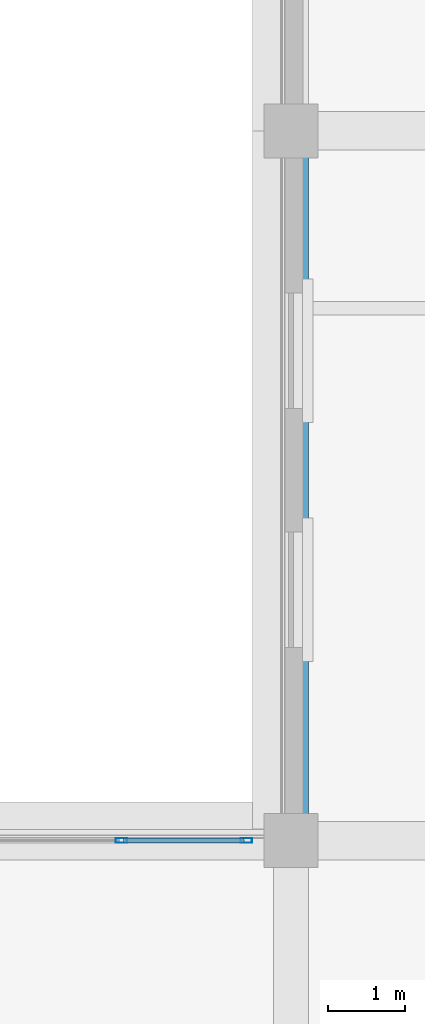
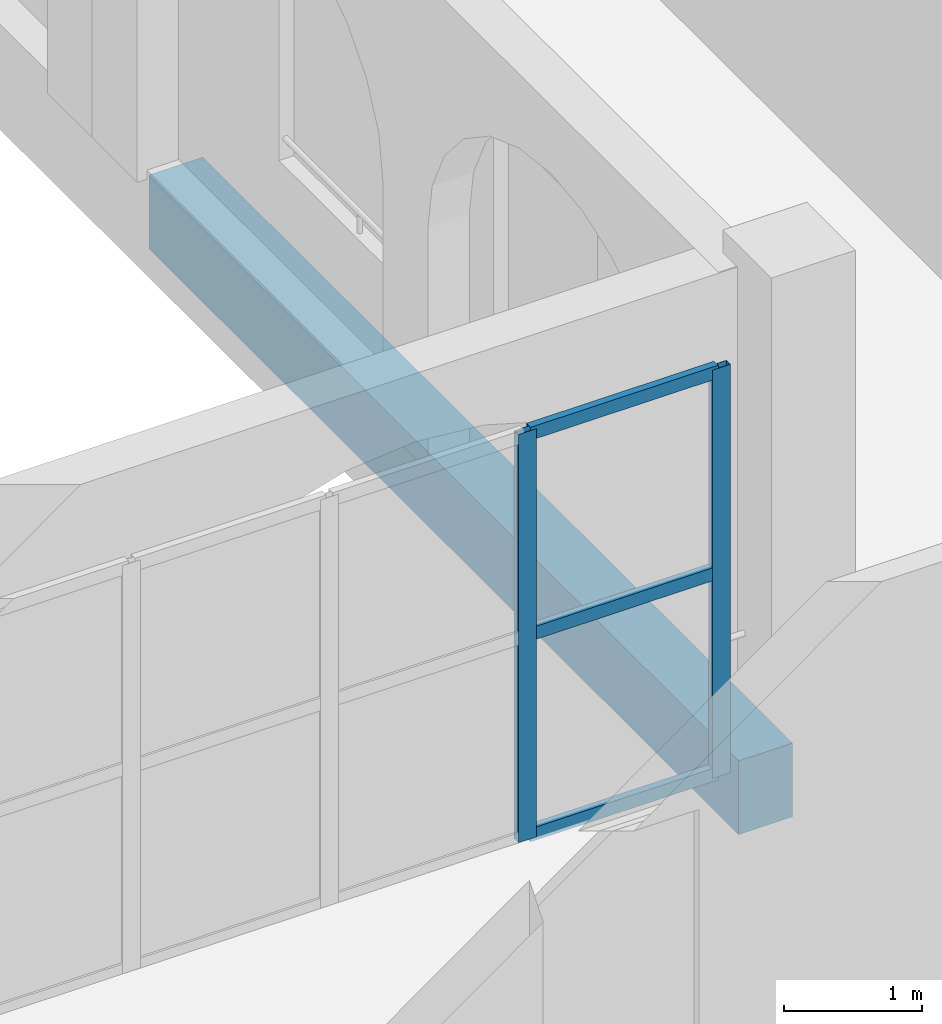
# One storey, part 56 of 156: 5 members, 1 beam, 1 element without a shape of its own.
"""IFC4 building model written with IfcOpenShell, lengths in metres."""

import ifcopenshell
import ifcopenshell.guid

model = None  # the IFC model being written
_history = None  # IfcOwnerHistory: only IFC2X3 demands one
_inside = {}  # id of a spatial element -> (the spatial element, [elements in it])
_under = {}  # id of a project, library or spatial element -> (it, [spatial elements below it])
_declared = {}  # id of a project -> (the project, [libraries it declares])
_typed = {}  # id of a type object -> (the type object, [elements of that type])
_made_of = {}  # id of a material, layer set ... -> (it, [elements and type objects made of it])


def new_model(schema):
    """Start an empty IFC model of exactly this schema.

    Asked for "IFC4X3", IfcOpenShell would pick the latest addendum, in which some entities
    have other attributes; the version numbers below select the first issue.
    IFC2X3 requires an IfcOwnerHistory on every rooted entity: one is made here for all.
    """
    global model, _history
    if schema == "IFC4X3":
        model = ifcopenshell.file(schema_version=(4, 3, 0, 0))
    else:
        model = ifcopenshell.file(schema=schema)
    _inside.clear()
    _under.clear()
    _declared.clear()
    _typed.clear()
    _made_of.clear()
    _history = None
    if model.schema == "IFC2X3":
        org = make("IfcOrganization", Name="unknown")
        user = make(
            "IfcPersonAndOrganization",
            ThePerson=make("IfcPerson", FamilyName="unknown"),
            TheOrganization=org,
        )
        app = make(
            "IfcApplication",
            ApplicationDeveloper=org,
            Version="unknown",
            ApplicationFullName="unknown",
            ApplicationIdentifier="unknown",
        )
        _history = make(
            "IfcOwnerHistory",
            OwningUser=user,
            OwningApplication=app,
            ChangeAction="ADDED",
            CreationDate=0,
        )
    return model


def make(cls, **values):
    """One entity of the class cls with the attributes given. An attribute that is None is left unset."""
    return model.create_entity(
        cls, **{name: value for name, value in values.items() if value is not None}
    )


def rooted(cls, **values):
    """An entity with a GlobalId (a new one), such as an element, a storey or a relation."""
    return make(cls, GlobalId=ifcopenshell.guid.new(), OwnerHistory=_history, **values)


def si_unit(unit_type, name, prefix=None):
    """IfcSIUnit, for example si_unit("LENGTHUNIT", "METRE", prefix="MILLI")."""
    return make("IfcSIUnit", UnitType=unit_type, Prefix=prefix, Name=name)


def assignment(units):
    """IfcUnitAssignment: the units of a project."""
    return None if units is None else make("IfcUnitAssignment", Units=units)


def point(xyz):
    """IfcCartesianPoint."""
    return None if xyz is None else make("IfcCartesianPoint", Coordinates=xyz)


def direction(xyz):
    """IfcDirection."""
    return None if xyz is None else make("IfcDirection", DirectionRatios=xyz)


def frame(location, z_axis=None, x_axis=None):
    """IfcAxis2Placement3D, a coordinate frame: its origin and axes. An axis left out is left unset."""
    return make(
        "IfcAxis2Placement3D",
        Location=point(location),
        Axis=direction(z_axis),
        RefDirection=direction(x_axis),
    )


def frame_2d(location, x_axis=None):
    """IfcAxis2Placement2D, a coordinate frame in the plane: its origin and x axis."""
    return make(
        "IfcAxis2Placement2D", Location=point(location), RefDirection=direction(x_axis)
    )


def origin():
    """The frame at (0, 0, 0) with its axes left unset."""
    return frame((0.0, 0.0, 0.0))


def origin_2d():
    """The frame at (0, 0) in the plane with its x axis left unset."""
    return frame_2d((0.0, 0.0))


def place(relative_to, where):
    """IfcLocalPlacement: puts the frame where relative to a parent placement (None: the world)."""
    return make(
        "IfcLocalPlacement", PlacementRelTo=relative_to, RelativePlacement=where
    )


def context(
    kind, dimensions, precision=None, world=None, true_north=None, identifier=None
):
    """IfcGeometricRepresentationContext, for example the 3D "Model" context."""
    return make(
        "IfcGeometricRepresentationContext",
        ContextIdentifier=identifier,
        ContextType=kind,
        CoordinateSpaceDimension=dimensions,
        Precision=precision,
        WorldCoordinateSystem=world,
        TrueNorth=true_north,
    )


def subcontext(parent, identifier, kind, view, scale=None):
    """IfcGeometricRepresentationSubContext, for example "Body" below "Model"."""
    return make(
        "IfcGeometricRepresentationSubContext",
        ContextIdentifier=identifier,
        ContextType=kind,
        ParentContext=parent,
        TargetScale=scale,
        TargetView=view,
    )


def project(units=None, contexts=None):
    """IfcProject with its units and contexts."""
    return rooted(
        "IfcProject",
        Name="project",
        RepresentationContexts=contexts,
        UnitsInContext=assignment(units),
    )


def spatial(cls, under=None, at=None, **own):
    """A site, building, storey or space (cls), placed at a placement, below another one or the project."""
    s = rooted(cls, ObjectPlacement=at, **own)
    if under is not None:
        _under.setdefault(under.id(), (under, []))[1].append(s)
    return s


def profile(cls, at=None, kind="AREA", **sizes):
    """A parametric profile (cls). Its sizes go by their IFC names, for example OverallWidth=200.0."""
    return make(cls, ProfileType=kind, Position=at, **sizes)


def rectangle(**sizes):
    """IfcRectangleProfileDef."""
    return profile("IfcRectangleProfileDef", **sizes)


def hollow_rectangle(**sizes):
    """IfcRectangleHollowProfileDef."""
    return profile("IfcRectangleHollowProfileDef", **sizes)


def extrude(swept, where, along, depth):
    """IfcExtrudedAreaSolid: the profile swept, set in the frame where, extruded along a direction by depth."""
    return make(
        "IfcExtrudedAreaSolid",
        SweptArea=swept,
        Position=where,
        ExtrudedDirection=direction(along),
        Depth=depth,
    )


def shape(context_of_items, identifier, shape_type, items):
    """IfcShapeRepresentation: the items that make up one representation, for example the "Body"."""
    return make(
        "IfcShapeRepresentation",
        ContextOfItems=context_of_items,
        RepresentationIdentifier=identifier,
        RepresentationType=shape_type,
        Items=items,
    )


def material(Name=None, Category=None):
    """IfcMaterial."""
    return make("IfcMaterial", Name=Name, Category=Category)


def material_profile(
    of_material, cross_section, Name=None, Category=None, Priority=None
):
    """IfcMaterialProfile: a cross section and its material."""
    return make(
        "IfcMaterialProfile",
        Name=Name,
        Material=of_material,
        Profile=cross_section,
        Priority=Priority,
        Category=Category,
    )


def profile_set(profiles, Name=None, composite=None):
    """IfcMaterialProfileSet."""
    return make(
        "IfcMaterialProfileSet",
        Name=Name,
        MaterialProfiles=profiles,
        CompositeProfile=composite,
    )


def made_of(thing, what):
    """Note that an element or type object is made of a material, layer set ...; save() writes the relation."""
    if what is not None:
        _made_of.setdefault(what.id(), (what, []))[1].append(thing)
    return thing


def type_object(cls, material=None, **own):
    """A type object (cls), such as IfcWallType, which elements share."""
    return made_of(rooted(cls, **own), material)


def element(
    cls,
    number,
    at=None,
    inside=None,
    cuts=None,
    type_object=None,
    material=None,
    context=None,
    identifier="Body",
    shape_type=None,
    held_by="IfcProductDefinitionShape",
    body=None,
    shapes=None,
    **own,
):
    """One element of the class cls, such as IfcWall. Its Tag is "e" and its number.

    at: its placement. inside: the storey or other place that contains it. cuts: it is an
    opening in that element (IfcRelVoidsElement). A single representation is given by context,
    identifier, shape_type and body (its items); several are given by shapes. held_by: the class
    of the entity that holds the representations. save() writes the other relations.
    """
    e = rooted(cls, Tag="e%d" % number, ObjectPlacement=at, **own)
    if body is not None:
        shapes = [shape(context, identifier, shape_type, body)]
    if shapes is not None:
        e.Representation = make(held_by, Representations=shapes)
    if inside is not None:
        _inside.setdefault(inside.id(), (inside, []))[1].append(e)
    if cuts is not None:
        rooted(
            "IfcRelVoidsElement", RelatingBuildingElement=cuts, RelatedOpeningElement=e
        )
    if type_object is not None:
        _typed.setdefault(type_object.id(), (type_object, []))[1].append(e)
    return made_of(e, material)


def aggregate(whole, parts):
    """IfcRelAggregates: a whole, such as a stair, and the parts it consists of."""
    return rooted("IfcRelAggregates", RelatingObject=whole, RelatedObjects=parts)


def save(model, path):
    """Write the relations noted so far, then the file.

    IfcRelAggregates (storeys below a building ...), IfcRelContainedInSpatialStructure (elements
    in a storey), IfcRelDefinesByType, IfcRelAssociatesMaterial and IfcRelDeclares: one each for
    every whole, place, type object, material and project.
    """
    for whole, parts in _under.values():
        aggregate(whole, parts)
    for where, things in _inside.values():
        rooted(
            "IfcRelContainedInSpatialStructure",
            RelatedElements=things,
            RelatingStructure=where,
        )
    for kind, things in _typed.values():
        rooted("IfcRelDefinesByType", RelatedObjects=things, RelatingType=kind)
    for what, things in _made_of.values():
        rooted("IfcRelAssociatesMaterial", RelatedObjects=things, RelatingMaterial=what)
    for by, libraries in _declared.values():
        rooted("IfcRelDeclares", RelatingContext=by, RelatedDefinitions=libraries)
    model.write(path)


model = new_model("IFC4")

# Units and contexts
model_context = context("Model", 3, precision=1e-05, world=origin(), true_north=direction((0.0, 1.0)))
body_context = subcontext(model_context, "Body", "Model", "MODEL_VIEW")
ifc_project = project(units=[si_unit("LENGTHUNIT", "METRE"), si_unit("AREAUNIT", "SQUARE_METRE"), si_unit("VOLUMEUNIT", "CUBIC_METRE"), si_unit("PLANEANGLEUNIT", "RADIAN"), si_unit("MASSUNIT", "GRAM", prefix="KILO")], contexts=[model_context])

# Site, building, storey
site_placement = place(None, origin())
site = spatial("IfcSite", under=ifc_project, at=site_placement, CompositionType="ELEMENT")
building_placement = place(site_placement, origin())
building = spatial("IfcBuilding", under=site, at=building_placement, Name="Caurita Quay Ferry Terminal", CompositionType="ELEMENT")
storey_placement = place(building_placement, frame((0.0, 0.0, 5.39990234375)))
storey = spatial("IfcBuildingStorey", under=building, at=storey_placement, Name="L01", CompositionType="ELEMENT", Elevation=5.39990234375)

# Beam
ifc_material_1 = material(Name="Reinforced concrete C35/45", Category="concrete")
ifc_material_profile_1 = material_profile(ifc_material_1, rectangle(XDim=0.449951171875, YDim=0.64990234375, at=origin_2d()), Name="RC-BM-450X650")
ifc_profile_set_1 = profile_set([ifc_material_profile_1], Name="Reinforced concrete C35/45")
beam_type = type_object("IfcBeamType", Name="BM-RC-4565", PredefinedType="BEAM", material=ifc_profile_set_1)
beam_placement = place(storey_placement, frame((66.0, 80.5400390625, -0.544921875), z_axis=(0.0, 1.0, 0.0), x_axis=(-1.0, 0.0, 0.0)))
element("IfcBeam", 1, at=beam_placement, inside=storey, type_object=beam_type, Name="L01 Beam BM-V5-L01-Y-660-805", PredefinedType="BEAM", context=body_context, shape_type="SweptSolid", body=[
    extrude(rectangle(XDim=0.449951171875, YDim=0.64990234375, at=origin_2d()), origin(), (0.0, 0.0, 1.0), 8.52001953125),
])

# Curtain wall, members
ifc_material_2 = material(Name="Laminated solar-control insulated glass", Category="glass")
curtain_wall_type = type_object("IfcCurtainWallType", Name="CW-SYS-23", PredefinedType="NOTDEFINED", material=ifc_material_2)
curtain_wall_placement = place(storey_placement, origin())
curtain_wall = element("IfcCurtainWall", 2, at=curtain_wall_placement, inside=storey, type_object=curtain_wall_type, Name="L01 Courtyard Cloister Storefront 159", PredefinedType="NOTDEFINED")
ifc_material_3 = material(Name="Anodized aluminium 6063-T6", Category="aluminium")
ifc_material_profile_2 = material_profile(ifc_material_3, hollow_rectangle(XDim=0.06005859375, YDim=0.14990234375, WallThickness=0.00341796875, at=origin_2d()), Name="ALU-MUL-60X150")
ifc_profile_set_2 = profile_set([ifc_material_profile_2], Name="Anodized aluminium 6063-T6")
member_type_1 = type_object("IfcMemberType", Name="CW-MUL-150", PredefinedType="MULLION", material=ifc_profile_set_2)
member_1_placement = place(storey_placement, frame((63.800048828125, 80.199951171875, 0.0), z_axis=(0.0, 0.0, 1.0), x_axis=(0.0, 1.0, 0.0)))
member_1 = element("IfcMember", 3, at=member_1_placement, type_object=member_type_1, Name="CW-CRT-159 Mullion 6", PredefinedType="MULLION", context=body_context, shape_type="SweptSolid", body=[
    extrude(hollow_rectangle(XDim=0.06005859375, YDim=0.14990234375, WallThickness=0.00341796875, at=origin_2d()), origin(), (0.0, 0.0, 1.0), 3.60009765625),
])
member_2_placement = place(storey_placement, frame((65.419921875, 80.199951171875, 0.0), z_axis=(0.0, 0.0, 1.0), x_axis=(0.0, 1.0, 0.0)))
member_2 = element("IfcMember", 4, at=member_2_placement, type_object=member_type_1, Name="CW-CRT-159 Mullion 7", PredefinedType="MULLION", context=body_context, shape_type="SweptSolid", body=[
    extrude(hollow_rectangle(XDim=0.06005859375, YDim=0.14990234375, WallThickness=0.00341796875, at=origin_2d()), origin(), (0.0, 0.0, 1.0), 3.60009765625),
])
ifc_material_profile_3 = material_profile(ifc_material_3, hollow_rectangle(XDim=0.06005859375, YDim=0.114990234375, WallThickness=0.00341796875, at=origin_2d()), Name="ALU-TRN-60X115")
ifc_profile_set_3 = profile_set([ifc_material_profile_3], Name="Anodized aluminium 6063-T6")
member_type_2 = type_object("IfcMemberType", Name="CW-TRN-115", PredefinedType="USERDEFINED", material=ifc_profile_set_3)
member_3_placement = place(storey_placement, frame((63.827880859375, 80.199951171875, 0.030029296875), z_axis=(1.0, 0.0, 0.0), x_axis=(0.0, 1.0, 0.0)))
member_3 = element("IfcMember", 5, at=member_3_placement, type_object=member_type_2, Name="CW-CRT-159 Transom 16", ObjectType="TRANSOM", PredefinedType="USERDEFINED", context=body_context, shape_type="SweptSolid", body=[
    extrude(hollow_rectangle(XDim=0.06005859375, YDim=0.114990234375, WallThickness=0.00341796875, at=origin_2d()), origin(), (0.0, 0.0, 1.0), 1.564208984375),
])
member_4_placement = place(storey_placement, frame((63.827880859375, 80.199951171875, 1.800048828125), z_axis=(1.0, 0.0, 0.0), x_axis=(0.0, 1.0, 0.0)))
member_4 = element("IfcMember", 6, at=member_4_placement, type_object=member_type_2, Name="CW-CRT-159 Transom 17", ObjectType="TRANSOM", PredefinedType="USERDEFINED", context=body_context, shape_type="SweptSolid", body=[
    extrude(hollow_rectangle(XDim=0.06005859375, YDim=0.114990234375, WallThickness=0.00341796875, at=origin_2d()), origin(), (0.0, 0.0, 1.0), 1.564208984375),
])
member_5_placement = place(storey_placement, frame((63.827880859375, 80.199951171875, 3.570068359375), z_axis=(1.0, 0.0, 0.0), x_axis=(0.0, 1.0, 0.0)))
member_5 = element("IfcMember", 7, at=member_5_placement, type_object=member_type_2, Name="CW-CRT-159 Transom 18", ObjectType="TRANSOM", PredefinedType="USERDEFINED", context=body_context, shape_type="SweptSolid", body=[
    extrude(hollow_rectangle(XDim=0.06005859375, YDim=0.114990234375, WallThickness=0.00341796875, at=origin_2d()), origin(), (0.0, 0.0, 1.0), 1.564208984375),
])
aggregate(curtain_wall, [member_1, member_2, member_3, member_4, member_5])

save(model, "model.ifc")
